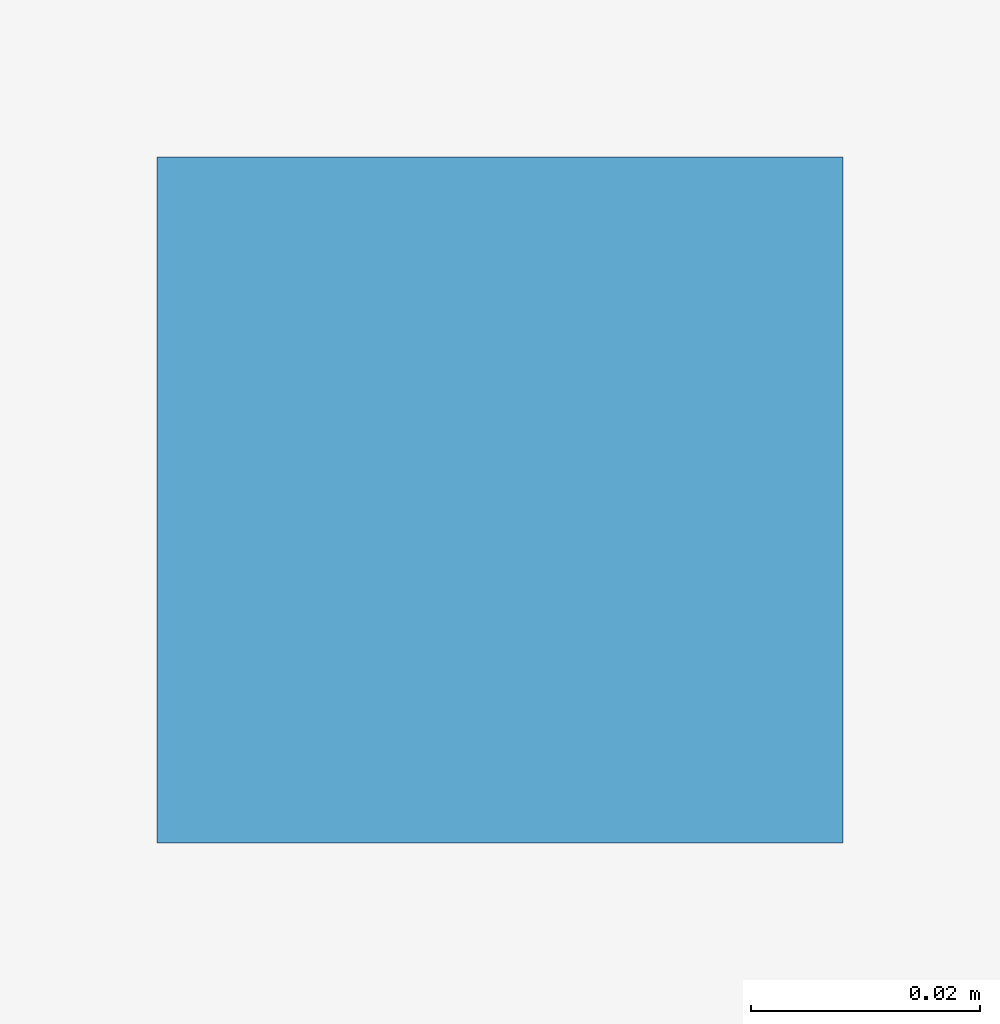
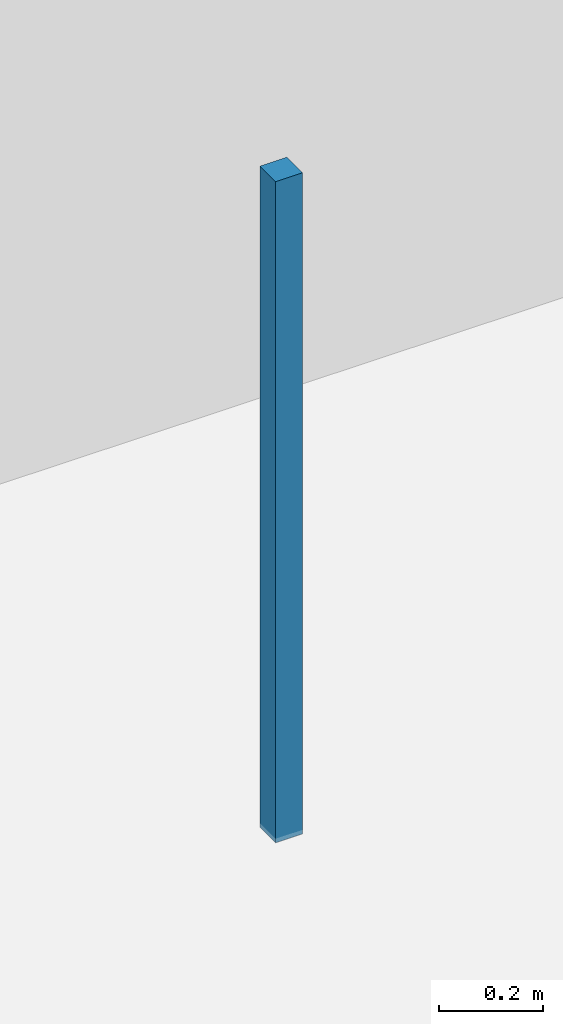
# One storey, part 100 of 108: 1 discrete accessory.
"""IFC4 building model written with IfcOpenShell, lengths in metres."""

from ifc_helpers import new_model, si_unit, direction, frame, origin, origin_2d, place, context, subcontext, project, spatial, rectangle, extrude, material, type_object, element, save


model = new_model("IFC4")

# Units and contexts
model_context = context("Model", 3, precision=1e-05, world=origin(), true_north=direction((0.0, 1.0)))
body_context = subcontext(model_context, "Body", "Model", "MODEL_VIEW")
ifc_project = project(units=[si_unit("LENGTHUNIT", "METRE"), si_unit("AREAUNIT", "SQUARE_METRE"), si_unit("VOLUMEUNIT", "CUBIC_METRE"), si_unit("PLANEANGLEUNIT", "RADIAN"), si_unit("MASSUNIT", "GRAM", prefix="KILO")], contexts=[model_context])

# Site, building, storey
site_placement = place(None, origin())
site = spatial("IfcSite", under=ifc_project, at=site_placement, CompositionType="ELEMENT")
building_placement = place(site_placement, origin())
building = spatial("IfcBuilding", under=site, at=building_placement, Name="Kaldorvane Square Convention Centre", CompositionType="ELEMENT")
storey_placement = place(building_placement, frame((0.0, 0.0, 12.0)))
storey = spatial("IfcBuildingStorey", under=building, at=storey_placement, Name="L02", CompositionType="ELEMENT", Elevation=12.0)

# Discrete accessory
ifc_material = material(Name="Architectural Painted Steel", Category="steel")
discrete_accessory_type = type_object("IfcDiscreteAccessoryType", Name="AC-HGR-060", PredefinedType="BRACKET", material=ifc_material)
discrete_accessory_placement = place(storey_placement, frame((33.0, 11.5, 4.114990234375), z_axis=(0.0, 0.0, 1.0), x_axis=(1.0, 0.0, 0.0)))
element("IfcDiscreteAccessory", 1, at=discrete_accessory_placement, inside=storey, type_object=discrete_accessory_type, Name="Ceiling Suspension Bracket 05 (L02)", PredefinedType="BRACKET", context=body_context, shape_type="SweptSolid", body=[
    extrude(rectangle(XDim=0.05999755859375, YDim=0.05999755859375, at=origin_2d()), origin(), (0.0, 0.0, 1.0), 1.5449981689453125),
])

save(model, "model.ifc")
